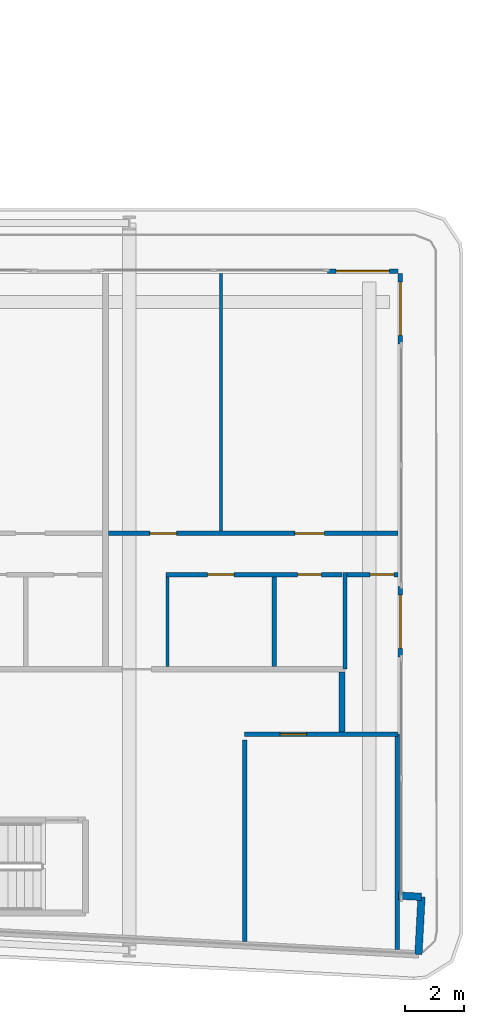
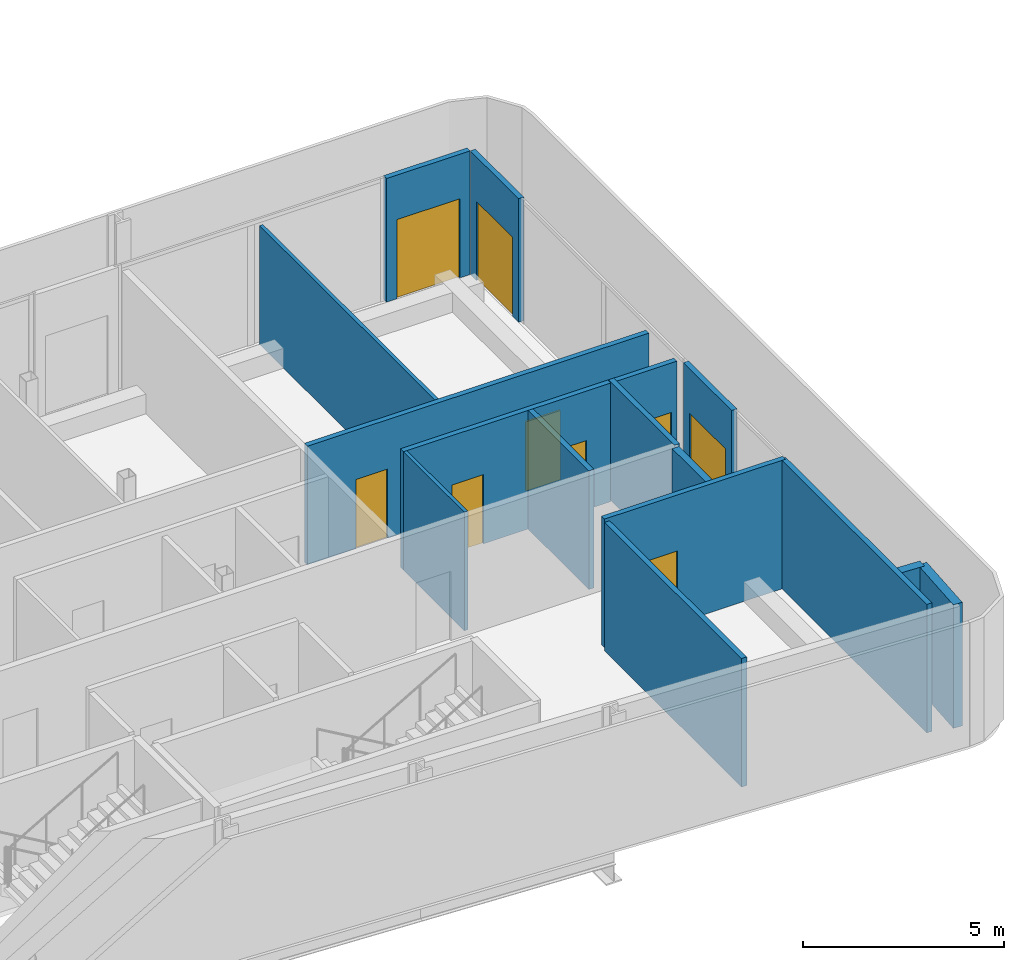
# One storey, part 18 of 27: 16 walls, 9 doors, 9 openings.
"""IFC4 building model written with IfcOpenShell, lengths in metres."""

from ifc_helpers import new_model, si_unit, direction, frame, frame_2d, origin, place, context, subcontext, project, spatial, rectangle, extrude, source, transform, mapped, material, layer, layer_set, type_object, element, fill, save


model = new_model("IFC4")

# Units and contexts
model_context = context("Model", 3, precision=1e-05, world=origin(), true_north=direction((0.0, 1.0)))
body_context = subcontext(model_context, "Body", "Model", "MODEL_VIEW")
ifc_project = project(units=[si_unit("LENGTHUNIT", "METRE"), si_unit("AREAUNIT", "SQUARE_METRE"), si_unit("VOLUMEUNIT", "CUBIC_METRE"), si_unit("PLANEANGLEUNIT", "RADIAN"), si_unit("MASSUNIT", "GRAM", prefix="KILO")], contexts=[model_context])

# Site, building, storey
site_placement = place(None, origin())
site = spatial("IfcSite", under=ifc_project, at=site_placement, CompositionType="ELEMENT")
building_placement = place(site_placement, origin())
building = spatial("IfcBuilding", under=site, at=building_placement, Name="Kheshtan School and Residences Tower", CompositionType="ELEMENT")
storey_placement = place(building_placement, frame((0.0, 0.0, 57.800048828125)))
storey = spatial("IfcBuildingStorey", under=building, at=storey_placement, Name="L13", CompositionType="ELEMENT", Elevation=57.800048828125)

# Walls
ifc_material_1 = material(Name="Gypsum board on steel studs with fire boards", Category="steel")
ifc_layer_1 = layer(ifc_material_1, 0.199951171875)
ifc_layer_set_1 = layer_set([ifc_layer_1], Name="Corridor wall 200")
wall_type_1 = type_object("IfcWallType", Name="Corridor wall 200", PredefinedType="PARTITIONING", material=ifc_layer_set_1)
wall_1_placement = place(storey_placement, frame((98.0, 28.3740234375, 0.0), z_axis=(0.0, 0.0, 1.0), x_axis=(0.0, 1.0, 0.0)))
element("IfcWall", 1, at=wall_1_placement, inside=storey, type_object=wall_type_1, Name="Partition L13-080", PredefinedType="PARTITIONING", context=body_context, shape_type="SweptSolid", body=[
    extrude(rectangle(XDim=2.02587890625, YDim=0.199951171875, at=frame_2d((1.012939453125, 0.0))), origin(), (0.0, 0.0, 1.0), 3.599853515625),
])
ifc_material_2 = material(Name="Concrete C40/50 with ceramic cladding and mineral wool insulation", Category="concrete")
ifc_layer_2 = layer(ifc_material_2, 0.25)
ifc_layer_set_2 = layer_set([ifc_layer_2], Name="External wall 250 ceramic clad")
wall_type_2 = type_object("IfcWallType", Name="External wall 250 ceramic clad", PredefinedType="SOLIDWALL", material=ifc_layer_set_2)
wall_2_placement = place(storey_placement, frame((99.906982421875, 22.839111328125, 0.0), z_axis=(0.0, 0.0, 1.0), x_axis=(0.998561284263, -0.053622398031, 0.0)))
element("IfcWall", 2, at=wall_2_placement, inside=storey, type_object=wall_type_2, Name="External wall L13 14", PredefinedType="SOLIDWALL", context=body_context, shape_type="SweptSolid", body=[
    extrude(rectangle(XDim=0.783203125, YDim=0.25, at=frame_2d((0.3916015625, 0.0))), origin(), (0.0, 0.0, 1.0), 3.75),
])
wall_3_placement = place(storey_placement, frame((100.68896484375, 22.797119140625, 0.0), z_axis=(0.0, 0.0, 1.0), x_axis=(-0.052841433274, -0.998602915542, 0.0)))
element("IfcWall", 3, at=wall_3_placement, inside=storey, type_object=wall_type_2, Name="External wall L13 15", PredefinedType="SOLIDWALL", context=body_context, shape_type="SweptSolid", body=[
    extrude(rectangle(XDim=1.94970703125, YDim=0.25, at=frame_2d((0.974853515625, 0.0))), origin(), (0.0, 0.0, 1.0), 3.75),
])

# Wall, opening, door
ifc_material_3 = material(Name="Aluminium frame wall with insulated infill", Category="aluminium")
ifc_layer_3 = layer(ifc_material_3, 0.14990234375)
ifc_layer_set_3 = layer_set([ifc_layer_3], Name="Glazing frame wall 150")
wall_type_3 = type_object("IfcWallType", Name="Glazing frame wall 150", PredefinedType="SOLIDWALL", material=ifc_layer_set_3)
wall_4_placement = place(storey_placement, frame((97.5, 43.97509765625, 0.0), z_axis=(0.0, 0.0, 1.0), x_axis=(1.0, 0.0, 0.0)))
wall_4 = element("IfcWall", 4, at=wall_4_placement, inside=storey, type_object=wall_type_3, Name="Balcony door wall L13 12.5", PredefinedType="SOLIDWALL", context=body_context, shape_type="SweptSolid", body=[
    extrude(rectangle(XDim=2.39990234375, YDim=0.14990234375, at=frame_2d((1.199951171875, 0.0))), origin(), (0.0, 0.0, 1.0), 3.75),
])
opening_1_placement = place(wall_4_placement, frame((0.300048828125, 0.0, 0.0)))
opening_1 = element("IfcOpeningElement", 5, at=opening_1_placement, cuts=wall_4, Name="Opening BD", PredefinedType="OPENING", context=body_context, shape_type="SweptSolid", body=[
    extrude(rectangle(XDim=1.800048828125, YDim=2.39990234375, at=frame_2d((0.89990234375, 1.199951171875))), frame((0.0, 0.0849609375, 0.0), z_axis=(0.0, -1.0, 0.0), x_axis=(1.0, 0.0, 0.0)), (0.0, 0.0, 1.0), 0.169921875),
])
ifc_material_4 = material(Name="Clear low-e glass in thermally broken aluminium frame", Category="aluminium")
door_type_1 = type_object("IfcDoorType", Name="Balcony sliding door", OperationType="SLIDING_TO_LEFT", PredefinedType="DOOR", material=ifc_material_4)
shared_shape_1 = source(origin(), body_context, "Body", "SweptSolid", [
    extrude(rectangle(XDim=1.800048828125, YDim=2.39990234375, at=frame_2d((0.89990234375, 1.199951171875))), frame((0.0, 0.02490234375, 0.0), z_axis=(0.0, -1.0, 0.0), x_axis=(1.0, 0.0, 0.0)), (0.0, 0.0, 1.0), 0.050048828125),
])
door_1_placement = place(opening_1_placement, origin())
door_1 = element("IfcDoor", 6, at=door_1_placement, inside=storey, type_object=door_type_1, Name="Balcony door L13 12.5", OperationType="SLIDING_TO_LEFT", OverallHeight=2.39990234375, OverallWidth=1.800048828125, PredefinedType="DOOR", context=body_context, shape_type="MappedRepresentation", body=[
    mapped(shared_shape_1, transform((0.0, 0.0, 0.0), x_axis=(1.0, 0.0, 0.0), y_axis=(0.0, 1.0, 0.0), z_axis=(0.0, 0.0, 1.0), scale=1.0)),
])
fill(opening_1, door_1)

wall_5_placement = place(storey_placement, frame((99.97509765625, 43.89990234375, 0.0), z_axis=(0.0, 0.0, 1.0), x_axis=(0.0, -1.0, 0.0)))
wall_5 = element("IfcWall", 7, at=wall_5_placement, inside=storey, type_object=wall_type_3, Name="Balcony door wall L13 13.1", PredefinedType="SOLIDWALL", context=body_context, shape_type="SweptSolid", body=[
    extrude(rectangle(XDim=2.39990234375, YDim=0.14990234375, at=frame_2d((1.199951171875, 0.0))), origin(), (0.0, 0.0, 1.0), 3.75),
])
opening_2_placement = place(wall_5_placement, frame((0.300048828125, 0.0, 0.0)))
opening_2 = element("IfcOpeningElement", 8, at=opening_2_placement, cuts=wall_5, Name="Opening BD", PredefinedType="OPENING", context=body_context, shape_type="SweptSolid", body=[
    extrude(rectangle(XDim=1.800048828125, YDim=2.39990234375, at=frame_2d((0.89990234375, 1.199951171875))), frame((0.0, 0.0849609375, 0.0), z_axis=(0.0, -1.0, 0.0), x_axis=(1.0, 0.0, 0.0)), (0.0, 0.0, 1.0), 0.169921875),
])
door_2_placement = place(opening_2_placement, origin())
door_2 = element("IfcDoor", 9, at=door_2_placement, inside=storey, type_object=door_type_1, Name="Balcony door L13 13.1", OperationType="SLIDING_TO_LEFT", OverallHeight=2.39990234375, OverallWidth=1.800048828125, PredefinedType="DOOR", context=body_context, shape_type="MappedRepresentation", body=[
    mapped(shared_shape_1, transform((0.0, 0.0, 0.0), x_axis=(1.0, 0.0, 0.0), y_axis=(0.0, 1.0, 0.0), z_axis=(0.0, 0.0, 1.0), scale=1.0)),
])
fill(opening_2, door_2)

wall_6_placement = place(storey_placement, frame((99.97509765625, 33.306884765625, 0.0), z_axis=(0.0, 0.0, 1.0), x_axis=(0.0, -1.0, 0.0)))
wall_6 = element("IfcWall", 10, at=wall_6_placement, inside=storey, type_object=wall_type_3, Name="Balcony door wall L13 13.2", PredefinedType="SOLIDWALL", context=body_context, shape_type="SweptSolid", body=[
    extrude(rectangle(XDim=2.39990234375, YDim=0.14990234375, at=frame_2d((1.199951171875, 0.0))), origin(), (0.0, 0.0, 1.0), 3.75),
])
opening_3_placement = place(wall_6_placement, frame((0.300048828125, 0.0, 0.0)))
opening_3 = element("IfcOpeningElement", 11, at=opening_3_placement, cuts=wall_6, Name="Opening BD", PredefinedType="OPENING", context=body_context, shape_type="SweptSolid", body=[
    extrude(rectangle(XDim=1.800048828125, YDim=2.39990234375, at=frame_2d((0.89990234375, 1.199951171875))), frame((0.0, 0.0849609375, 0.0), z_axis=(0.0, -1.0, 0.0), x_axis=(1.0, 0.0, 0.0)), (0.0, 0.0, 1.0), 0.169921875),
])
door_3_placement = place(opening_3_placement, origin())
door_3 = element("IfcDoor", 12, at=door_3_placement, inside=storey, type_object=door_type_1, Name="Balcony door L13 13.2", OperationType="SLIDING_TO_LEFT", OverallHeight=2.39990234375, OverallWidth=1.800048828125, PredefinedType="DOOR", context=body_context, shape_type="MappedRepresentation", body=[
    mapped(shared_shape_1, transform((0.0, 0.0, 0.0), x_axis=(1.0, 0.0, 0.0), y_axis=(0.0, 1.0, 0.0), z_axis=(0.0, 0.0, 1.0), scale=1.0)),
])
fill(opening_3, door_3)

# Walls
ifc_material_5 = material(Name="Gypsum board on steel studs", Category="steel")
ifc_layer_4 = layer(ifc_material_5, 0.10009765625)
ifc_layer_set_4 = layer_set([ifc_layer_4], Name="Gypsum partition 100")
wall_type_4 = type_object("IfcWallType", Name="Gypsum partition 100", PredefinedType="PARTITIONING", material=ifc_layer_set_4)
wall_7_placement = place(storey_placement, frame((92.10009765625, 30.60009765625, 0.0), z_axis=(0.0, 0.0, 1.0), x_axis=(0.0, 1.0, 0.0)))
element("IfcWall", 13, at=wall_7_placement, inside=storey, type_object=wall_type_4, Name="Partition L13-077", PredefinedType="PARTITIONING", context=body_context, shape_type="SweptSolid", body=[
    extrude(rectangle(XDim=3.02490234375, YDim=0.10009765625, at=frame_2d((1.512451171875, 0.0))), origin(), (0.0, 0.0, 1.0), 3.599853515625),
])
wall_8_placement = place(storey_placement, frame((93.89990234375, 35.175048828125, 0.0), z_axis=(0.0, 0.0, 1.0), x_axis=(0.0, 1.0, 0.0)))
element("IfcWall", 14, at=wall_8_placement, inside=storey, type_object=wall_type_4, Name="Partition L13-078", PredefinedType="PARTITIONING", context=body_context, shape_type="SweptSolid", body=[
    extrude(rectangle(XDim=8.724853515625, YDim=0.10009765625, at=frame_2d((4.3623046875, 0.0))), origin(), (0.0, 0.0, 1.0), 3.599853515625),
])
ifc_material_6 = material(Name="Fire-board shaft wall system")
ifc_layer_5 = layer(ifc_material_6, 0.14990234375)
ifc_layer_set_5 = layer_set([ifc_layer_5], Name="Service room wall 150")
wall_type_5 = type_object("IfcWallType", Name="Service room wall 150", PredefinedType="PARTITIONING", material=ifc_layer_set_5)
wall_9_placement = place(storey_placement, frame((99.8701171875, 21.014892578125, 0.0), z_axis=(0.0, 0.0, 1.0), x_axis=(0.0, 1.0, 0.0)))
element("IfcWall", 15, at=wall_9_placement, inside=storey, type_object=wall_type_5, Name="Service room wall", PredefinedType="PARTITIONING", context=body_context, shape_type="SweptSolid", body=[
    extrude(rectangle(XDim=7.28515625, YDim=0.14990234375, at=frame_2d((3.642578125, 0.0))), origin(), (0.0, 0.0, 1.0), 3.89990234375),
])

# Wall, opening, door
wall_10_placement = place(storey_placement, frame((94.7060546875, 28.300048828125, 0.0), z_axis=(0.0, 0.0, 1.0), x_axis=(1.0, 0.0, 0.0)))
wall_10 = element("IfcWall", 16, at=wall_10_placement, inside=storey, type_object=wall_type_5, Name="Service room wall", PredefinedType="PARTITIONING", context=body_context, shape_type="SweptSolid", body=[
    extrude(rectangle(XDim=5.19189453125, YDim=0.14990234375, at=frame_2d((2.595947265625, 0.0))), origin(), (0.0, 0.0, 1.0), 3.89990234375),
])
opening_4_placement = place(wall_10_placement, frame((1.197021484375, 0.0, 0.0)))
opening_4 = element("IfcOpeningElement", 17, at=opening_4_placement, cuts=wall_10, Name="Opening SR90", PredefinedType="OPENING", context=body_context, shape_type="SweptSolid", body=[
    extrude(rectangle(XDim=0.89990234375, YDim=2.199951171875, at=frame_2d((0.449951171875, 1.10009765625))), frame((0.0, 0.0849609375, 0.0), z_axis=(0.0, -1.0, 0.0), x_axis=(1.0, 0.0, 0.0)), (0.0, 0.0, 1.0), 0.169921875),
])
ifc_material_7 = material(Name="Steel door leaf, galvanised", Category="steel")
door_type_2 = type_object("IfcDoorType", Name="Service room door 900 steel 90 min", OperationType="SINGLE_SWING_LEFT", PredefinedType="DOOR", material=ifc_material_7)
shared_shape_2 = source(origin(), body_context, "Body", "SweptSolid", [
    extrude(rectangle(XDim=0.89990234375, YDim=2.199951171875, at=frame_2d((0.449951171875, 1.10009765625))), frame((0.0, 0.02490234375, 0.0), z_axis=(0.0, -1.0, 0.0), x_axis=(1.0, 0.0, 0.0)), (0.0, 0.0, 1.0), 0.050048828125),
])
door_4_placement = place(opening_4_placement, origin())
door_4 = element("IfcDoor", 18, at=door_4_placement, inside=storey, type_object=door_type_2, Name="Service room door", OperationType="SINGLE_SWING_LEFT", OverallHeight=2.199951171875, OverallWidth=0.89990234375, PredefinedType="DOOR", context=body_context, shape_type="MappedRepresentation", body=[
    mapped(shared_shape_2, transform((0.0, 0.0, 0.0), x_axis=(1.0, 0.0, 0.0), y_axis=(0.0, 1.0, 0.0), z_axis=(0.0, 0.0, 1.0), scale=1.0)),
])
fill(opening_4, door_4)

# Wall
wall_11_placement = place(storey_placement, frame((94.7060546875, 21.287109375, 0.0), z_axis=(0.0, 0.0, 1.0), x_axis=(0.0, 1.0, 0.0)))
element("IfcWall", 19, at=wall_11_placement, inside=storey, type_object=wall_type_5, Name="Service room wall", PredefinedType="PARTITIONING", context=body_context, shape_type="SweptSolid", body=[
    extrude(rectangle(XDim=6.81787109375, YDim=0.14990234375, at=frame_2d((3.408935546875, 0.0))), origin(), (0.0, 0.0, 1.0), 3.89990234375),
])

# Wall, openings, doors
ifc_material_8 = material(Name="Moisture-resistant gypsum board on steel studs", Category="steel")
ifc_layer_6 = layer(ifc_material_8, 0.14990234375)
ifc_layer_set_6 = layer_set([ifc_layer_6], Name="Wet-room partition 150")
wall_type_6 = type_object("IfcWallType", Name="Wet-room partition 150", PredefinedType="PARTITIONING", material=ifc_layer_set_6)
wall_12_placement = place(storey_placement, frame((90.10009765625, 35.10009765625, 0.0), z_axis=(0.0, 0.0, 1.0), x_axis=(1.0, 0.0, 0.0)))
wall_12 = element("IfcWall", 20, at=wall_12_placement, inside=storey, type_object=wall_type_6, Name="Partition L13-075", PredefinedType="PARTITIONING", context=body_context, shape_type="SweptSolid", body=[
    extrude(rectangle(XDim=9.7998046875, YDim=0.14990234375, at=frame_2d((4.89990234375, 0.0))), origin(), (0.0, 0.0, 1.0), 3.599853515625),
])
opening_5_placement = place(wall_12_placement, frame((1.39990234375, 0.0, 0.0)))
opening_5 = element("IfcOpeningElement", 21, at=opening_5_placement, cuts=wall_12, Name="Opening D12-025", PredefinedType="OPENING", context=body_context, shape_type="SweptSolid", body=[
    extrude(rectangle(XDim=0.89990234375, YDim=2.10009765625, at=frame_2d((0.449951171875, 1.050048828125))), frame((0.0, 0.0849609375, 0.0), z_axis=(0.0, -1.0, 0.0), x_axis=(1.0, 0.0, 0.0)), (0.0, 0.0, 1.0), 0.169921875),
])
opening_6_placement = place(wall_12_placement, frame((6.300048828125, 0.0, 0.0)))
opening_6 = element("IfcOpeningElement", 22, at=opening_6_placement, cuts=wall_12, Name="Opening D12-028", PredefinedType="OPENING", context=body_context, shape_type="SweptSolid", body=[
    extrude(rectangle(XDim=1.0, YDim=2.10009765625, at=frame_2d((0.5, 1.050048828125))), frame((0.0, 0.0849609375, 0.0), z_axis=(0.0, -1.0, 0.0), x_axis=(1.0, 0.0, 0.0)), (0.0, 0.0, 1.0), 0.169921875),
])
ifc_material_9 = material(Name="Veneered timber door leaf", Category="wood")
door_type_3 = type_object("IfcDoorType", Name="Door 1000 x 2100", OperationType="SINGLE_SWING_LEFT", PredefinedType="DOOR", material=ifc_material_9)
shared_shape_3 = source(origin(), body_context, "Body", "SweptSolid", [
    extrude(rectangle(XDim=1.0, YDim=2.10009765625, at=frame_2d((0.5, 1.050048828125))), frame((0.0, 0.02490234375, 0.0), z_axis=(0.0, -1.0, 0.0), x_axis=(1.0, 0.0, 0.0)), (0.0, 0.0, 1.0), 0.050048828125),
])
door_5_placement = place(opening_6_placement, origin())
door_5 = element("IfcDoor", 23, at=door_5_placement, inside=storey, type_object=door_type_3, Name="Door D12-028", OperationType="SINGLE_SWING_RIGHT", OverallHeight=2.10009765625, OverallWidth=1.0, PredefinedType="DOOR", context=body_context, shape_type="MappedRepresentation", body=[
    mapped(shared_shape_3, transform((0.0, 0.0, 0.0), x_axis=(1.0, 0.0, 0.0), y_axis=(0.0, 1.0, 0.0), z_axis=(0.0, 0.0, 1.0), scale=1.0)),
])
fill(opening_6, door_5)
door_type_4 = type_object("IfcDoorType", Name="Door 900 x 2100", OperationType="SINGLE_SWING_LEFT", PredefinedType="DOOR", material=ifc_material_9)
shared_shape_4 = source(origin(), body_context, "Body", "SweptSolid", [
    extrude(rectangle(XDim=0.89990234375, YDim=2.10009765625, at=frame_2d((0.449951171875, 1.050048828125))), frame((0.0, 0.02490234375, 0.0), z_axis=(0.0, -1.0, 0.0), x_axis=(1.0, 0.0, 0.0)), (0.0, 0.0, 1.0), 0.050048828125),
])
door_6_placement = place(opening_5_placement, origin())
door_6 = element("IfcDoor", 24, at=door_6_placement, inside=storey, type_object=door_type_4, Name="Door D12-025", OperationType="SINGLE_SWING_RIGHT", OverallHeight=2.10009765625, OverallWidth=0.89990234375, PredefinedType="DOOR", context=body_context, shape_type="MappedRepresentation", body=[
    mapped(shared_shape_4, transform((0.0, 0.0, 0.0), x_axis=(1.0, 0.0, 0.0), y_axis=(0.0, 1.0, 0.0), z_axis=(0.0, 0.0, 1.0), scale=1.0)),
])
fill(opening_5, door_6)

wall_13_placement = place(storey_placement, frame((92.050048828125, 33.699951171875, 0.0), z_axis=(0.0, 0.0, 1.0), x_axis=(1.0, 0.0, 0.0)))
wall_13 = element("IfcWall", 25, at=wall_13_placement, inside=storey, type_object=wall_type_6, Name="Partition L13-076", PredefinedType="PARTITIONING", context=body_context, shape_type="SweptSolid", body=[
    extrude(rectangle(XDim=5.949951171875, YDim=0.14990234375, at=frame_2d((2.97509765625, 0.0))), origin(), (0.0, 0.0, 1.0), 3.599853515625),
])
opening_7_placement = place(wall_13_placement, frame((4.449951171875, 0.0, 0.0)))
opening_7 = element("IfcOpeningElement", 26, at=opening_7_placement, cuts=wall_13, Name="Opening D12-024", PredefinedType="OPENING", context=body_context, shape_type="SweptSolid", body=[
    extrude(rectangle(XDim=0.800048828125, YDim=2.10009765625, at=frame_2d((0.39990234375, 1.050048828125))), frame((0.0, 0.0849609375, 0.0), z_axis=(0.0, -1.0, 0.0), x_axis=(1.0, 0.0, 0.0)), (0.0, 0.0, 1.0), 0.169921875),
])
opening_8_placement = place(wall_13_placement, frame((1.39990234375, 0.0, 0.0)))
opening_8 = element("IfcOpeningElement", 27, at=opening_8_placement, cuts=wall_13, Name="Opening D12-027", PredefinedType="OPENING", context=body_context, shape_type="SweptSolid", body=[
    extrude(rectangle(XDim=0.89990234375, YDim=2.10009765625, at=frame_2d((0.449951171875, 1.050048828125))), frame((0.0, 0.0849609375, 0.0), z_axis=(0.0, -1.0, 0.0), x_axis=(1.0, 0.0, 0.0)), (0.0, 0.0, 1.0), 0.169921875),
])
door_type_5 = type_object("IfcDoorType", Name="Door 800 x 2100", OperationType="SINGLE_SWING_LEFT", PredefinedType="DOOR", material=ifc_material_9)
shared_shape_5 = source(origin(), body_context, "Body", "SweptSolid", [
    extrude(rectangle(XDim=0.800048828125, YDim=2.10009765625, at=frame_2d((0.39990234375, 1.050048828125))), frame((0.0, 0.02490234375, 0.0), z_axis=(0.0, -1.0, 0.0), x_axis=(1.0, 0.0, 0.0)), (0.0, 0.0, 1.0), 0.050048828125),
])
door_7_placement = place(opening_7_placement, origin())
door_7 = element("IfcDoor", 28, at=door_7_placement, inside=storey, type_object=door_type_5, Name="Door D12-024", OperationType="SINGLE_SWING_LEFT", OverallHeight=2.10009765625, OverallWidth=0.800048828125, PredefinedType="DOOR", context=body_context, shape_type="MappedRepresentation", body=[
    mapped(shared_shape_5, transform((0.0, 0.0, 0.0), x_axis=(1.0, 0.0, 0.0), y_axis=(0.0, 1.0, 0.0), z_axis=(0.0, 0.0, 1.0), scale=1.0)),
])
fill(opening_7, door_7)
door_8_placement = place(opening_8_placement, origin())
door_8 = element("IfcDoor", 29, at=door_8_placement, inside=storey, type_object=door_type_4, Name="Door D12-027", OperationType="SINGLE_SWING_LEFT", OverallHeight=2.10009765625, OverallWidth=0.89990234375, PredefinedType="DOOR", context=body_context, shape_type="MappedRepresentation", body=[
    mapped(shared_shape_4, transform((0.0, 0.0, 0.0), x_axis=(1.0, 0.0, 0.0), y_axis=(0.0, 1.0, 0.0), z_axis=(0.0, 0.0, 1.0), scale=1.0)),
])
fill(opening_8, door_8)

# Walls
wall_14_placement = place(storey_placement, frame((95.699951171875, 30.60009765625, 0.0), z_axis=(0.0, 0.0, 1.0), x_axis=(0.0, 1.0, 0.0)))
element("IfcWall", 30, at=wall_14_placement, inside=storey, type_object=wall_type_6, Name="Partition L13-079", PredefinedType="PARTITIONING", context=body_context, shape_type="SweptSolid", body=[
    extrude(rectangle(XDim=3.02490234375, YDim=0.14990234375, at=frame_2d((1.512451171875, 0.0))), origin(), (0.0, 0.0, 1.0), 3.599853515625),
])
wall_15_placement = place(storey_placement, frame((98.10009765625, 30.5, 0.0), z_axis=(0.0, 0.0, 1.0), x_axis=(0.0, 1.0, 0.0)))
element("IfcWall", 31, at=wall_15_placement, inside=storey, type_object=wall_type_6, Name="Partition L13-081", PredefinedType="PARTITIONING", context=body_context, shape_type="SweptSolid", body=[
    extrude(rectangle(XDim=3.27490234375, YDim=0.14990234375, at=frame_2d((1.637451171875, 0.0))), origin(), (0.0, 0.0, 1.0), 3.599853515625),
])

# Wall, opening, door
wall_16_placement = place(storey_placement, frame((98.175048828125, 33.699951171875, 0.0), z_axis=(0.0, 0.0, 1.0), x_axis=(1.0, 0.0, 0.0)))
wall_16 = element("IfcWall", 32, at=wall_16_placement, inside=storey, type_object=wall_type_6, Name="Partition L13-082", PredefinedType="PARTITIONING", context=body_context, shape_type="SweptSolid", body=[
    extrude(rectangle(XDim=1.724853515625, YDim=0.14990234375, at=frame_2d((0.8623046875, 0.0))), origin(), (0.0, 0.0, 1.0), 3.599853515625),
])
opening_9_placement = place(wall_16_placement, frame((0.77490234375, 0.0, 0.0)))
opening_9 = element("IfcOpeningElement", 33, at=opening_9_placement, cuts=wall_16, Name="Opening D12-029", PredefinedType="OPENING", context=body_context, shape_type="SweptSolid", body=[
    extrude(rectangle(XDim=0.800048828125, YDim=2.10009765625, at=frame_2d((0.39990234375, 1.050048828125))), frame((0.0, 0.0849609375, 0.0), z_axis=(0.0, -1.0, 0.0), x_axis=(1.0, 0.0, 0.0)), (0.0, 0.0, 1.0), 0.169921875),
])
door_9_placement = place(opening_9_placement, origin())
door_9 = element("IfcDoor", 34, at=door_9_placement, inside=storey, type_object=door_type_5, Name="Door D12-029", OperationType="SINGLE_SWING_RIGHT", OverallHeight=2.10009765625, OverallWidth=0.800048828125, PredefinedType="DOOR", context=body_context, shape_type="MappedRepresentation", body=[
    mapped(shared_shape_5, transform((0.0, 0.0, 0.0), x_axis=(1.0, 0.0, 0.0), y_axis=(0.0, 1.0, 0.0), z_axis=(0.0, 0.0, 1.0), scale=1.0)),
])
fill(opening_9, door_9)

save(model, "model.ifc")
